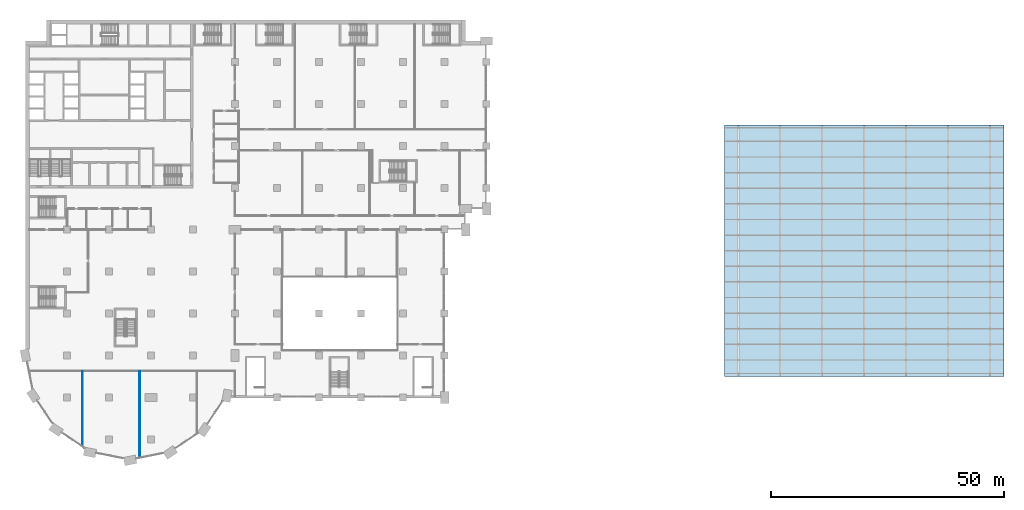
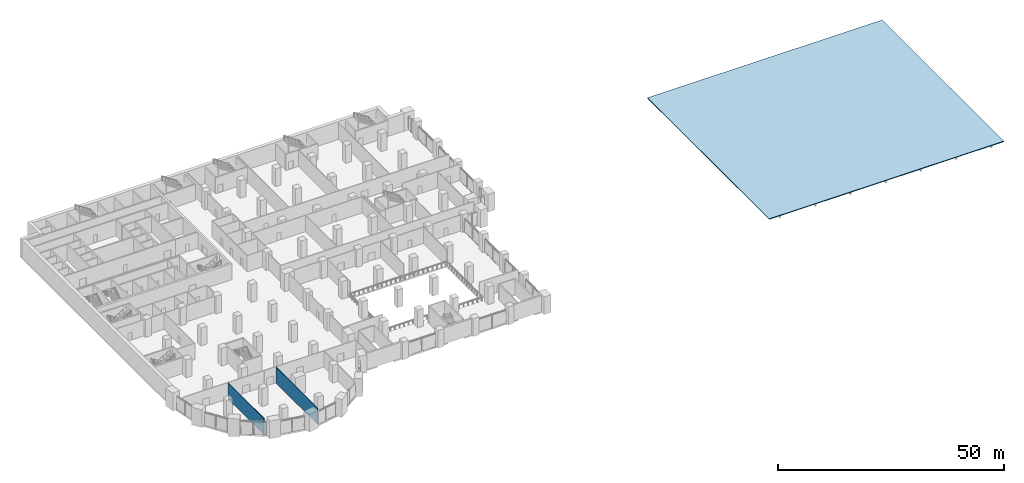
# One storey, part 12 of 32: 2 walls, 1 slab.
"""IFC4 building model written with IfcOpenShell, lengths in metres."""

import ifcopenshell
import ifcopenshell.guid

model = None  # the IFC model being written
_history = None  # IfcOwnerHistory: only IFC2X3 demands one
_inside = {}  # id of a spatial element -> (the spatial element, [elements in it])
_under = {}  # id of a project, library or spatial element -> (it, [spatial elements below it])
_declared = {}  # id of a project -> (the project, [libraries it declares])
_typed = {}  # id of a type object -> (the type object, [elements of that type])
_made_of = {}  # id of a material, layer set ... -> (it, [elements and type objects made of it])


def new_model(schema):
    """Start an empty IFC model of exactly this schema.

    Asked for "IFC4X3", IfcOpenShell would pick the latest addendum, in which some entities
    have other attributes; the version numbers below select the first issue.
    IFC2X3 requires an IfcOwnerHistory on every rooted entity: one is made here for all.
    """
    global model, _history
    if schema == "IFC4X3":
        model = ifcopenshell.file(schema_version=(4, 3, 0, 0))
    else:
        model = ifcopenshell.file(schema=schema)
    _inside.clear()
    _under.clear()
    _declared.clear()
    _typed.clear()
    _made_of.clear()
    _history = None
    if model.schema == "IFC2X3":
        org = make("IfcOrganization", Name="unknown")
        user = make(
            "IfcPersonAndOrganization",
            ThePerson=make("IfcPerson", FamilyName="unknown"),
            TheOrganization=org,
        )
        app = make(
            "IfcApplication",
            ApplicationDeveloper=org,
            Version="unknown",
            ApplicationFullName="unknown",
            ApplicationIdentifier="unknown",
        )
        _history = make(
            "IfcOwnerHistory",
            OwningUser=user,
            OwningApplication=app,
            ChangeAction="ADDED",
            CreationDate=0,
        )
    return model


def make(cls, **values):
    """One entity of the class cls with the attributes given. An attribute that is None is left unset."""
    return model.create_entity(
        cls, **{name: value for name, value in values.items() if value is not None}
    )


def rooted(cls, **values):
    """An entity with a GlobalId (a new one), such as an element, a storey or a relation."""
    return make(cls, GlobalId=ifcopenshell.guid.new(), OwnerHistory=_history, **values)


def si_unit(unit_type, name, prefix=None):
    """IfcSIUnit, for example si_unit("LENGTHUNIT", "METRE", prefix="MILLI")."""
    return make("IfcSIUnit", UnitType=unit_type, Prefix=prefix, Name=name)


def assignment(units):
    """IfcUnitAssignment: the units of a project."""
    return None if units is None else make("IfcUnitAssignment", Units=units)


def point(xyz):
    """IfcCartesianPoint."""
    return None if xyz is None else make("IfcCartesianPoint", Coordinates=xyz)


def direction(xyz):
    """IfcDirection."""
    return None if xyz is None else make("IfcDirection", DirectionRatios=xyz)


def frame(location, z_axis=None, x_axis=None):
    """IfcAxis2Placement3D, a coordinate frame: its origin and axes. An axis left out is left unset."""
    return make(
        "IfcAxis2Placement3D",
        Location=point(location),
        Axis=direction(z_axis),
        RefDirection=direction(x_axis),
    )


def frame_2d(location, x_axis=None):
    """IfcAxis2Placement2D, a coordinate frame in the plane: its origin and x axis."""
    return make(
        "IfcAxis2Placement2D", Location=point(location), RefDirection=direction(x_axis)
    )


def origin():
    """The frame at (0, 0, 0) with its axes left unset."""
    return frame((0.0, 0.0, 0.0))


def place(relative_to, where):
    """IfcLocalPlacement: puts the frame where relative to a parent placement (None: the world)."""
    return make(
        "IfcLocalPlacement", PlacementRelTo=relative_to, RelativePlacement=where
    )


def context(
    kind, dimensions, precision=None, world=None, true_north=None, identifier=None
):
    """IfcGeometricRepresentationContext, for example the 3D "Model" context."""
    return make(
        "IfcGeometricRepresentationContext",
        ContextIdentifier=identifier,
        ContextType=kind,
        CoordinateSpaceDimension=dimensions,
        Precision=precision,
        WorldCoordinateSystem=world,
        TrueNorth=true_north,
    )


def subcontext(parent, identifier, kind, view, scale=None):
    """IfcGeometricRepresentationSubContext, for example "Body" below "Model"."""
    return make(
        "IfcGeometricRepresentationSubContext",
        ContextIdentifier=identifier,
        ContextType=kind,
        ParentContext=parent,
        TargetScale=scale,
        TargetView=view,
    )


def project(units=None, contexts=None):
    """IfcProject with its units and contexts."""
    return rooted(
        "IfcProject",
        Name="project",
        RepresentationContexts=contexts,
        UnitsInContext=assignment(units),
    )


def spatial(cls, under=None, at=None, **own):
    """A site, building, storey or space (cls), placed at a placement, below another one or the project."""
    s = rooted(cls, ObjectPlacement=at, **own)
    if under is not None:
        _under.setdefault(under.id(), (under, []))[1].append(s)
    return s


def polyline(points):
    """IfcPolyline through the points."""
    return make("IfcPolyline", Points=[point(p) for p in points])


def profile(cls, at=None, kind="AREA", **sizes):
    """A parametric profile (cls). Its sizes go by their IFC names, for example OverallWidth=200.0."""
    return make(cls, ProfileType=kind, Position=at, **sizes)


def rectangle(**sizes):
    """IfcRectangleProfileDef."""
    return profile("IfcRectangleProfileDef", **sizes)


def outline(outer, holes=None, kind="AREA"):
    """IfcArbitraryClosedProfileDef: a profile drawn as a closed curve; with holes, ...WithVoids."""
    if holes is None:
        return make("IfcArbitraryClosedProfileDef", ProfileType=kind, OuterCurve=outer)
    return make(
        "IfcArbitraryProfileDefWithVoids",
        ProfileType=kind,
        OuterCurve=outer,
        InnerCurves=holes,
    )


def extrude(swept, where, along, depth):
    """IfcExtrudedAreaSolid: the profile swept, set in the frame where, extruded along a direction by depth."""
    return make(
        "IfcExtrudedAreaSolid",
        SweptArea=swept,
        Position=where,
        ExtrudedDirection=direction(along),
        Depth=depth,
    )


def shape(context_of_items, identifier, shape_type, items):
    """IfcShapeRepresentation: the items that make up one representation, for example the "Body"."""
    return make(
        "IfcShapeRepresentation",
        ContextOfItems=context_of_items,
        RepresentationIdentifier=identifier,
        RepresentationType=shape_type,
        Items=items,
    )


def material(Name=None, Category=None):
    """IfcMaterial."""
    return make("IfcMaterial", Name=Name, Category=Category)


def layer(
    of_material, thickness, ventilated=None, Name=None, Category=None, Priority=None
):
    """IfcMaterialLayer: one layer of a wall or slab, of a material (None: an air gap)."""
    return make(
        "IfcMaterialLayer",
        Material=of_material,
        LayerThickness=thickness,
        IsVentilated=ventilated,
        Name=Name,
        Category=Category,
        Priority=Priority,
    )


def layer_set(layers, Name=None):
    """IfcMaterialLayerSet."""
    return make("IfcMaterialLayerSet", MaterialLayers=layers, LayerSetName=Name)


def made_of(thing, what):
    """Note that an element or type object is made of a material, layer set ...; save() writes the relation."""
    if what is not None:
        _made_of.setdefault(what.id(), (what, []))[1].append(thing)
    return thing


def type_object(cls, material=None, **own):
    """A type object (cls), such as IfcWallType, which elements share."""
    return made_of(rooted(cls, **own), material)


def element(
    cls,
    number,
    at=None,
    inside=None,
    cuts=None,
    type_object=None,
    material=None,
    context=None,
    identifier="Body",
    shape_type=None,
    held_by="IfcProductDefinitionShape",
    body=None,
    shapes=None,
    **own,
):
    """One element of the class cls, such as IfcWall. Its Tag is "e" and its number.

    at: its placement. inside: the storey or other place that contains it. cuts: it is an
    opening in that element (IfcRelVoidsElement). A single representation is given by context,
    identifier, shape_type and body (its items); several are given by shapes. held_by: the class
    of the entity that holds the representations. save() writes the other relations.
    """
    e = rooted(cls, Tag="e%d" % number, ObjectPlacement=at, **own)
    if body is not None:
        shapes = [shape(context, identifier, shape_type, body)]
    if shapes is not None:
        e.Representation = make(held_by, Representations=shapes)
    if inside is not None:
        _inside.setdefault(inside.id(), (inside, []))[1].append(e)
    if cuts is not None:
        rooted(
            "IfcRelVoidsElement", RelatingBuildingElement=cuts, RelatedOpeningElement=e
        )
    if type_object is not None:
        _typed.setdefault(type_object.id(), (type_object, []))[1].append(e)
    return made_of(e, material)


def aggregate(whole, parts):
    """IfcRelAggregates: a whole, such as a stair, and the parts it consists of."""
    return rooted("IfcRelAggregates", RelatingObject=whole, RelatedObjects=parts)


def save(model, path):
    """Write the relations noted so far, then the file.

    IfcRelAggregates (storeys below a building ...), IfcRelContainedInSpatialStructure (elements
    in a storey), IfcRelDefinesByType, IfcRelAssociatesMaterial and IfcRelDeclares: one each for
    every whole, place, type object, material and project.
    """
    for whole, parts in _under.values():
        aggregate(whole, parts)
    for where, things in _inside.values():
        rooted(
            "IfcRelContainedInSpatialStructure",
            RelatedElements=things,
            RelatingStructure=where,
        )
    for kind, things in _typed.values():
        rooted("IfcRelDefinesByType", RelatedObjects=things, RelatingType=kind)
    for what, things in _made_of.values():
        rooted("IfcRelAssociatesMaterial", RelatedObjects=things, RelatingMaterial=what)
    for by, libraries in _declared.values():
        rooted("IfcRelDeclares", RelatingContext=by, RelatedDefinitions=libraries)
    model.write(path)


model = new_model("IFC4")

# Units and contexts
model_context = context("Model", 3, precision=1e-05, world=origin(), true_north=direction((0.0, 1.0)))
body_context = subcontext(model_context, "Body", "Model", "MODEL_VIEW")
ifc_project = project(units=[si_unit("LENGTHUNIT", "METRE"), si_unit("AREAUNIT", "SQUARE_METRE"), si_unit("VOLUMEUNIT", "CUBIC_METRE"), si_unit("PLANEANGLEUNIT", "RADIAN"), si_unit("MASSUNIT", "GRAM", prefix="KILO")], contexts=[model_context])

# Site, building, storey
site_placement = place(None, origin())
site = spatial("IfcSite", under=ifc_project, at=site_placement, CompositionType="ELEMENT")
building_placement = place(site_placement, origin())
building = spatial("IfcBuilding", under=site, at=building_placement, Name="Hunhe Ridgeline Campus", CompositionType="ELEMENT")
storey_placement = place(building_placement, frame((0.0, 0.0, 26.39990234375)))
storey = spatial("IfcBuildingStorey", under=building, at=storey_placement, Name="L05", CompositionType="ELEMENT", Elevation=26.39990234375)

# Slab
ifc_material_1 = material(Name="Steel Q355", Category="steel")
ifc_layer_1 = layer(ifc_material_1, 0.199951171875)
ifc_layer_set_1 = layer_set([ifc_layer_1], Name="Steel roof deck 200 Q355")
slab_type = type_object("IfcSlabType", Name="Steel roof deck 200 Q355", PredefinedType="ROOF", material=ifc_layer_set_1)
slab_placement = place(storey_placement, frame((0.0, 0.0, 0.8740234375)))
element("IfcSlab", 1, at=slab_placement, inside=storey, type_object=slab_type, Name="Hall roof deck", PredefinedType="ROOF", context=body_context, shape_type="SweptSolid", body=[
    extrude(outline(polyline([(210.0, 22.5), (210.0, 76.5), (150.0, 76.5), (150.0, 22.5), (210.0, 22.5)])), origin(), (0.0, 0.0, 1.0), 0.2001953125),
])

# Walls
ifc_material_2 = material(Name="Plastered blockwork", Category="masonry")
ifc_layer_2 = layer(ifc_material_2, 0.14990234375)
ifc_layer_set_2 = layer_set([ifc_layer_2], Name="Blockwork partition 150")
wall_type = type_object("IfcWallType", Name="Blockwork partition 150", PredefinedType="PARTITIONING", material=ifc_layer_set_2)
wall_1_placement = place(storey_placement, frame((12.27294921875, 7.533935546875, 0.0), z_axis=(0.0, 0.0, 1.0), x_axis=(0.0, 1.0, 0.0)))
element("IfcWall", 2, at=wall_1_placement, inside=storey, type_object=wall_type, Name="L05 partition", PredefinedType="PARTITIONING", context=body_context, shape_type="SweptSolid", body=[
    extrude(rectangle(XDim=16.091064453125, YDim=0.14990234375, at=frame_2d((8.04541015625, 0.0))), origin(), (0.0, 0.0, 1.0), 4.35009765625),
])
wall_2_placement = place(storey_placement, frame((24.544921875, 5.093017578125, 0.0), z_axis=(0.0, 0.0, 1.0), x_axis=(0.0, 1.0, 0.0)))
element("IfcWall", 3, at=wall_2_placement, inside=storey, type_object=wall_type, Name="L05 partition", PredefinedType="PARTITIONING", context=body_context, shape_type="SweptSolid", body=[
    extrude(rectangle(XDim=18.531982421875, YDim=0.14990234375, at=frame_2d((9.26611328125, 0.0))), origin(), (0.0, 0.0, 1.0), 4.35009765625),
])

save(model, "model.ifc")
